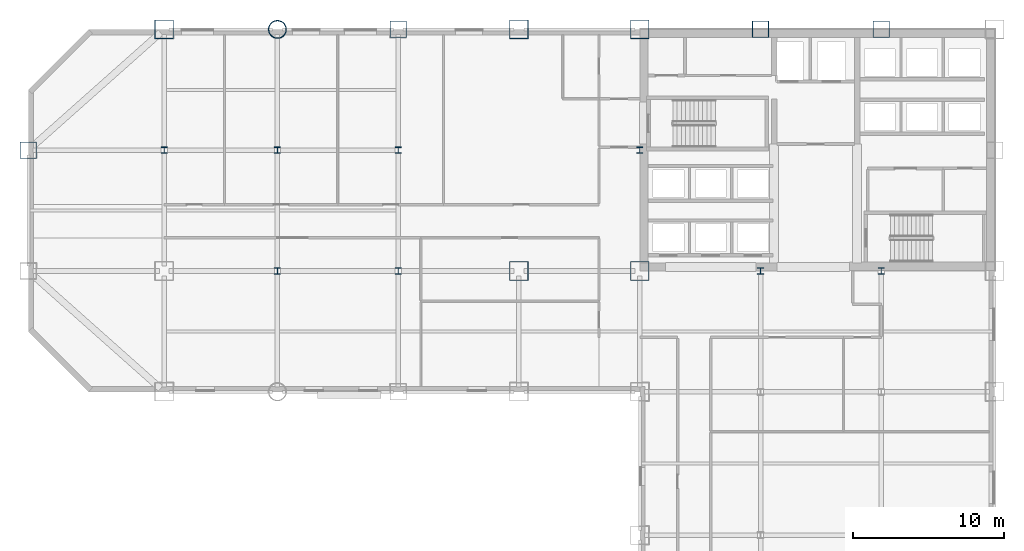
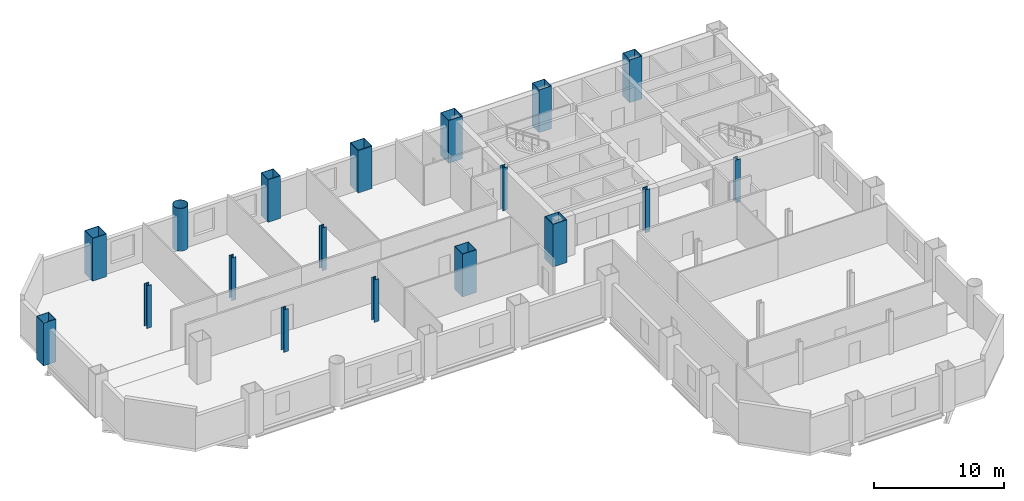
# One storey, part 2 of 9: 18 columns.
"""IFC4 building model written with IfcOpenShell, lengths in metres."""

import ifcopenshell
import ifcopenshell.guid

model = None  # the IFC model being written
_history = None  # IfcOwnerHistory: only IFC2X3 demands one
_inside = {}  # id of a spatial element -> (the spatial element, [elements in it])
_under = {}  # id of a project, library or spatial element -> (it, [spatial elements below it])
_declared = {}  # id of a project -> (the project, [libraries it declares])
_typed = {}  # id of a type object -> (the type object, [elements of that type])
_made_of = {}  # id of a material, layer set ... -> (it, [elements and type objects made of it])


def new_model(schema):
    """Start an empty IFC model of exactly this schema.

    Asked for "IFC4X3", IfcOpenShell would pick the latest addendum, in which some entities
    have other attributes; the version numbers below select the first issue.
    IFC2X3 requires an IfcOwnerHistory on every rooted entity: one is made here for all.
    """
    global model, _history
    if schema == "IFC4X3":
        model = ifcopenshell.file(schema_version=(4, 3, 0, 0))
    else:
        model = ifcopenshell.file(schema=schema)
    _inside.clear()
    _under.clear()
    _declared.clear()
    _typed.clear()
    _made_of.clear()
    _history = None
    if model.schema == "IFC2X3":
        org = make("IfcOrganization", Name="unknown")
        user = make(
            "IfcPersonAndOrganization",
            ThePerson=make("IfcPerson", FamilyName="unknown"),
            TheOrganization=org,
        )
        app = make(
            "IfcApplication",
            ApplicationDeveloper=org,
            Version="unknown",
            ApplicationFullName="unknown",
            ApplicationIdentifier="unknown",
        )
        _history = make(
            "IfcOwnerHistory",
            OwningUser=user,
            OwningApplication=app,
            ChangeAction="ADDED",
            CreationDate=0,
        )
    return model


def make(cls, **values):
    """One entity of the class cls with the attributes given. An attribute that is None is left unset."""
    return model.create_entity(
        cls, **{name: value for name, value in values.items() if value is not None}
    )


def rooted(cls, **values):
    """An entity with a GlobalId (a new one), such as an element, a storey or a relation."""
    return make(cls, GlobalId=ifcopenshell.guid.new(), OwnerHistory=_history, **values)


def si_unit(unit_type, name, prefix=None):
    """IfcSIUnit, for example si_unit("LENGTHUNIT", "METRE", prefix="MILLI")."""
    return make("IfcSIUnit", UnitType=unit_type, Prefix=prefix, Name=name)


def assignment(units):
    """IfcUnitAssignment: the units of a project."""
    return None if units is None else make("IfcUnitAssignment", Units=units)


def point(xyz):
    """IfcCartesianPoint."""
    return None if xyz is None else make("IfcCartesianPoint", Coordinates=xyz)


def direction(xyz):
    """IfcDirection."""
    return None if xyz is None else make("IfcDirection", DirectionRatios=xyz)


def frame(location, z_axis=None, x_axis=None):
    """IfcAxis2Placement3D, a coordinate frame: its origin and axes. An axis left out is left unset."""
    return make(
        "IfcAxis2Placement3D",
        Location=point(location),
        Axis=direction(z_axis),
        RefDirection=direction(x_axis),
    )


def frame_2d(location, x_axis=None):
    """IfcAxis2Placement2D, a coordinate frame in the plane: its origin and x axis."""
    return make(
        "IfcAxis2Placement2D", Location=point(location), RefDirection=direction(x_axis)
    )


def origin():
    """The frame at (0, 0, 0) with its axes left unset."""
    return frame((0.0, 0.0, 0.0))


def origin_2d():
    """The frame at (0, 0) in the plane with its x axis left unset."""
    return frame_2d((0.0, 0.0))


def place(relative_to, where):
    """IfcLocalPlacement: puts the frame where relative to a parent placement (None: the world)."""
    return make(
        "IfcLocalPlacement", PlacementRelTo=relative_to, RelativePlacement=where
    )


def context(
    kind, dimensions, precision=None, world=None, true_north=None, identifier=None
):
    """IfcGeometricRepresentationContext, for example the 3D "Model" context."""
    return make(
        "IfcGeometricRepresentationContext",
        ContextIdentifier=identifier,
        ContextType=kind,
        CoordinateSpaceDimension=dimensions,
        Precision=precision,
        WorldCoordinateSystem=world,
        TrueNorth=true_north,
    )


def subcontext(parent, identifier, kind, view, scale=None):
    """IfcGeometricRepresentationSubContext, for example "Body" below "Model"."""
    return make(
        "IfcGeometricRepresentationSubContext",
        ContextIdentifier=identifier,
        ContextType=kind,
        ParentContext=parent,
        TargetScale=scale,
        TargetView=view,
    )


def project(units=None, contexts=None):
    """IfcProject with its units and contexts."""
    return rooted(
        "IfcProject",
        Name="project",
        RepresentationContexts=contexts,
        UnitsInContext=assignment(units),
    )


def spatial(cls, under=None, at=None, **own):
    """A site, building, storey or space (cls), placed at a placement, below another one or the project."""
    s = rooted(cls, ObjectPlacement=at, **own)
    if under is not None:
        _under.setdefault(under.id(), (under, []))[1].append(s)
    return s


def profile(cls, at=None, kind="AREA", **sizes):
    """A parametric profile (cls). Its sizes go by their IFC names, for example OverallWidth=200.0."""
    return make(cls, ProfileType=kind, Position=at, **sizes)


def hollow_rectangle(**sizes):
    """IfcRectangleHollowProfileDef."""
    return profile("IfcRectangleHollowProfileDef", **sizes)


def hollow_circle(**sizes):
    """IfcCircleHollowProfileDef."""
    return profile("IfcCircleHollowProfileDef", **sizes)


def i_section(**sizes):
    """IfcIShapeProfileDef."""
    return profile("IfcIShapeProfileDef", **sizes)


def extrude(swept, where, along, depth):
    """IfcExtrudedAreaSolid: the profile swept, set in the frame where, extruded along a direction by depth."""
    return make(
        "IfcExtrudedAreaSolid",
        SweptArea=swept,
        Position=where,
        ExtrudedDirection=direction(along),
        Depth=depth,
    )


def shape(context_of_items, identifier, shape_type, items):
    """IfcShapeRepresentation: the items that make up one representation, for example the "Body"."""
    return make(
        "IfcShapeRepresentation",
        ContextOfItems=context_of_items,
        RepresentationIdentifier=identifier,
        RepresentationType=shape_type,
        Items=items,
    )


def material(Name=None, Category=None):
    """IfcMaterial."""
    return make("IfcMaterial", Name=Name, Category=Category)


def material_profile(
    of_material, cross_section, Name=None, Category=None, Priority=None
):
    """IfcMaterialProfile: a cross section and its material."""
    return make(
        "IfcMaterialProfile",
        Name=Name,
        Material=of_material,
        Profile=cross_section,
        Priority=Priority,
        Category=Category,
    )


def profile_set(profiles, Name=None, composite=None):
    """IfcMaterialProfileSet."""
    return make(
        "IfcMaterialProfileSet",
        Name=Name,
        MaterialProfiles=profiles,
        CompositeProfile=composite,
    )


def made_of(thing, what):
    """Note that an element or type object is made of a material, layer set ...; save() writes the relation."""
    if what is not None:
        _made_of.setdefault(what.id(), (what, []))[1].append(thing)
    return thing


def type_object(cls, material=None, **own):
    """A type object (cls), such as IfcWallType, which elements share."""
    return made_of(rooted(cls, **own), material)


def element(
    cls,
    number,
    at=None,
    inside=None,
    cuts=None,
    type_object=None,
    material=None,
    context=None,
    identifier="Body",
    shape_type=None,
    held_by="IfcProductDefinitionShape",
    body=None,
    shapes=None,
    **own,
):
    """One element of the class cls, such as IfcWall. Its Tag is "e" and its number.

    at: its placement. inside: the storey or other place that contains it. cuts: it is an
    opening in that element (IfcRelVoidsElement). A single representation is given by context,
    identifier, shape_type and body (its items); several are given by shapes. held_by: the class
    of the entity that holds the representations. save() writes the other relations.
    """
    e = rooted(cls, Tag="e%d" % number, ObjectPlacement=at, **own)
    if body is not None:
        shapes = [shape(context, identifier, shape_type, body)]
    if shapes is not None:
        e.Representation = make(held_by, Representations=shapes)
    if inside is not None:
        _inside.setdefault(inside.id(), (inside, []))[1].append(e)
    if cuts is not None:
        rooted(
            "IfcRelVoidsElement", RelatingBuildingElement=cuts, RelatedOpeningElement=e
        )
    if type_object is not None:
        _typed.setdefault(type_object.id(), (type_object, []))[1].append(e)
    return made_of(e, material)


def aggregate(whole, parts):
    """IfcRelAggregates: a whole, such as a stair, and the parts it consists of."""
    return rooted("IfcRelAggregates", RelatingObject=whole, RelatedObjects=parts)


def save(model, path):
    """Write the relations noted so far, then the file.

    IfcRelAggregates (storeys below a building ...), IfcRelContainedInSpatialStructure (elements
    in a storey), IfcRelDefinesByType, IfcRelAssociatesMaterial and IfcRelDeclares: one each for
    every whole, place, type object, material and project.
    """
    for whole, parts in _under.values():
        aggregate(whole, parts)
    for where, things in _inside.values():
        rooted(
            "IfcRelContainedInSpatialStructure",
            RelatedElements=things,
            RelatingStructure=where,
        )
    for kind, things in _typed.values():
        rooted("IfcRelDefinesByType", RelatedObjects=things, RelatingType=kind)
    for what, things in _made_of.values():
        rooted("IfcRelAssociatesMaterial", RelatedObjects=things, RelatingMaterial=what)
    for by, libraries in _declared.values():
        rooted("IfcRelDeclares", RelatingContext=by, RelatedDefinitions=libraries)
    model.write(path)


model = new_model("IFC4")

# Units and contexts
model_context = context("Model", 3, precision=1e-05, world=origin(), true_north=direction((0.0, 1.0)))
body_context = subcontext(model_context, "Body", "Model", "MODEL_VIEW")
ifc_project = project(units=[si_unit("LENGTHUNIT", "METRE"), si_unit("AREAUNIT", "SQUARE_METRE"), si_unit("VOLUMEUNIT", "CUBIC_METRE"), si_unit("PLANEANGLEUNIT", "RADIAN"), si_unit("MASSUNIT", "GRAM", prefix="KILO")], contexts=[model_context])

# Site, building, storey
site_placement = place(None, origin())
site = spatial("IfcSite", under=ifc_project, at=site_placement, CompositionType="ELEMENT")
building_placement = place(site_placement, origin())
building = spatial("IfcBuilding", under=site, at=building_placement, Name="Qianrong Seaharbour Tower", CompositionType="ELEMENT")
storey_placement = place(building_placement, frame((0.0, 0.0, 80.199951171875)))
storey = spatial("IfcBuildingStorey", under=building, at=storey_placement, Name="L19", CompositionType="ELEMENT", Elevation=80.199951171875)

# Columns
ifc_material = material(Name="Structural steel SN490B", Category="steel")
ifc_material_profile_1 = material_profile(ifc_material, hollow_rectangle(XDim=1.25, YDim=1.25, WallThickness=0.044921875, at=origin_2d()), Name="BOX1250x1250x45")
ifc_profile_set_1 = profile_set([ifc_material_profile_1], Name="Structural steel SN490B")
column_type_1 = type_object("IfcColumnType", Name="COL-CFT-1250", PredefinedType="COLUMN", material=ifc_profile_set_1)
for number, where, z_axis, x_axis, name in (
    (1, (9.0, 52.0, 0.0), (0.0, 0.0, 1.0), (1.0, 0.0, 0.0), "L19 Column MC-2 at G2/GH"),
    (2, (32.5, 36.0, 0.0), (0.0, 0.0, 1.0), (1.0, 0.0, 0.0), "L19 Column MC-2 at G5/GF"),
    (3, (32.5, 52.0, 0.0), (0.0, 0.0, 1.0), (1.0, 0.0, 0.0), "L19 Column MC-2 at G5/GH"),
    (4, (40.5, 36.0, 0.0), (0.0, 0.0, 1.0), (1.0, 0.0, 0.0), "L19 Column MC-2 at G6/GF"),
    (5, (40.5, 52.0, 0.0), (0.0, 0.0, 1.0), (1.0, 0.0, 0.0), "L19 Column MC-2 at G6/GH"),
):
    element("IfcColumn", number, at=place(storey_placement, frame(where, z_axis=z_axis, x_axis=x_axis)), inside=storey, type_object=column_type_1, Name=name, PredefinedType="COLUMN", context=body_context, shape_type="SweptSolid", body=[
        extrude(hollow_rectangle(XDim=1.25, YDim=1.25, WallThickness=0.044921875, at=origin_2d()), origin(), (0.0, 0.0, 1.0), 4.0),
    ])
ifc_material_profile_2 = material_profile(ifc_material, hollow_circle(Radius=0.60009765625, WallThickness=0.0400390625, at=origin_2d()), Name="CHS1200x40")
ifc_profile_set_2 = profile_set([ifc_material_profile_2], Name="Structural steel SN490B")
column_type_2 = type_object("IfcColumnType", Name="COL-CHS-1200", PredefinedType="COLUMN", material=ifc_profile_set_2)
column_placement = place(storey_placement, frame((16.5, 52.0, 0.0), z_axis=(0.0, 0.0, 1.0), x_axis=(1.0, 0.0, 0.0)))
element("IfcColumn", 6, at=column_placement, inside=storey, type_object=column_type_2, Name="L19 Column CC-1 at G3/GH", PredefinedType="COLUMN", context=body_context, shape_type="SweptSolid", body=[
    extrude(hollow_circle(Radius=0.60009765625, WallThickness=0.0400390625, at=origin_2d()), origin(), (0.0, 0.0, 1.0), 4.0),
])
ifc_material_profile_3 = material_profile(ifc_material, i_section(OverallWidth=0.406982421875, OverallDepth=0.427978515625, WebThickness=0.02001953125, FlangeThickness=0.034912109375, FilletRadius=0.02197265625, at=origin_2d()), Name="H428x407x20x35")
ifc_profile_set_3 = profile_set([ifc_material_profile_3], Name="Structural steel SN490B")
column_type_3 = type_object("IfcColumnType", Name="COL-INT-H428", PredefinedType="COLUMN", material=ifc_profile_set_3)
for number, where, z_axis, x_axis, name in (
    (7, (9.0, 44.0, 0.0), (0.0, 0.0, 1.0), (1.0, 0.0, 0.0), "L19 Column IC-2 at G2/GG"),
    (8, (16.5, 36.0, 0.0), (0.0, 0.0, 1.0), (1.0, 0.0, 0.0), "L19 Column IC-2 at G3/GF"),
    (9, (16.5, 44.0, 0.0), (0.0, 0.0, 1.0), (1.0, 0.0, 0.0), "L19 Column IC-2 at G3/GG"),
    (10, (24.5, 36.0, 0.0), (0.0, 0.0, 1.0), (1.0, 0.0, 0.0), "L19 Column IC-2 at G4/GF"),
    (11, (24.5, 44.0, 0.0), (0.0, 0.0, 1.0), (1.0, 0.0, 0.0), "L19 Column IC-2 at G4/GG"),
    (12, (40.5, 44.0, 0.0), (0.0, 0.0, 1.0), (1.0, 0.0, 0.0), "L19 Column IC-2 at G6/GG"),
    (13, (48.5, 36.0, 0.0), (0.0, 0.0, 1.0), (1.0, 0.0, 0.0), "L19 Column IC-2 at G7/GF"),
    (14, (56.5, 36.0, 0.0), (0.0, 0.0, 1.0), (1.0, 0.0, 0.0), "L19 Column IC-2 at G8/GF"),
):
    element("IfcColumn", number, at=place(storey_placement, frame(where, z_axis=z_axis, x_axis=x_axis)), inside=storey, type_object=column_type_3, Name=name, PredefinedType="COLUMN", context=body_context, shape_type="SweptSolid", body=[
        extrude(i_section(OverallWidth=0.406982421875, OverallDepth=0.427978515625, WebThickness=0.02001953125, FlangeThickness=0.034912109375, FilletRadius=0.02197265625, at=origin_2d()), origin(), (0.0, 0.0, 1.0), 4.0),
    ])
ifc_material_profile_4 = material_profile(ifc_material, hollow_rectangle(XDim=1.10009765625, YDim=1.10009765625, WallThickness=0.0400390625, at=origin_2d()), Name="BOX1100x1100x40")
ifc_profile_set_4 = profile_set([ifc_material_profile_4], Name="Structural steel SN490B")
column_type_4 = type_object("IfcColumnType", Name="COL-PER-1100", PredefinedType="COLUMN", material=ifc_profile_set_4)
for number, where, z_axis, x_axis, name in (
    (15, (0.0, 44.0, 0.0), (0.0, 0.0, 1.0), (1.0, 0.0, 0.0), "L19 Column PC-1 at G1/GG"),
    (16, (24.5, 52.0, 0.0), (0.0, 0.0, 1.0), (1.0, 0.0, 0.0), "L19 Column PC-1 at G4/GH"),
    (17, (48.5, 52.0, 0.0), (0.0, 0.0, 1.0), (1.0, 0.0, 0.0), "L19 Column PC-1 at G7/GH"),
    (18, (56.5, 52.0, 0.0), (0.0, 0.0, 1.0), (1.0, 0.0, 0.0), "L19 Column PC-1 at G8/GH"),
):
    element("IfcColumn", number, at=place(storey_placement, frame(where, z_axis=z_axis, x_axis=x_axis)), inside=storey, type_object=column_type_4, Name=name, PredefinedType="COLUMN", context=body_context, shape_type="SweptSolid", body=[
        extrude(hollow_rectangle(XDim=1.10009765625, YDim=1.10009765625, WallThickness=0.0400390625, at=origin_2d()), origin(), (0.0, 0.0, 1.0), 4.0),
    ])

save(model, "model.ifc")
